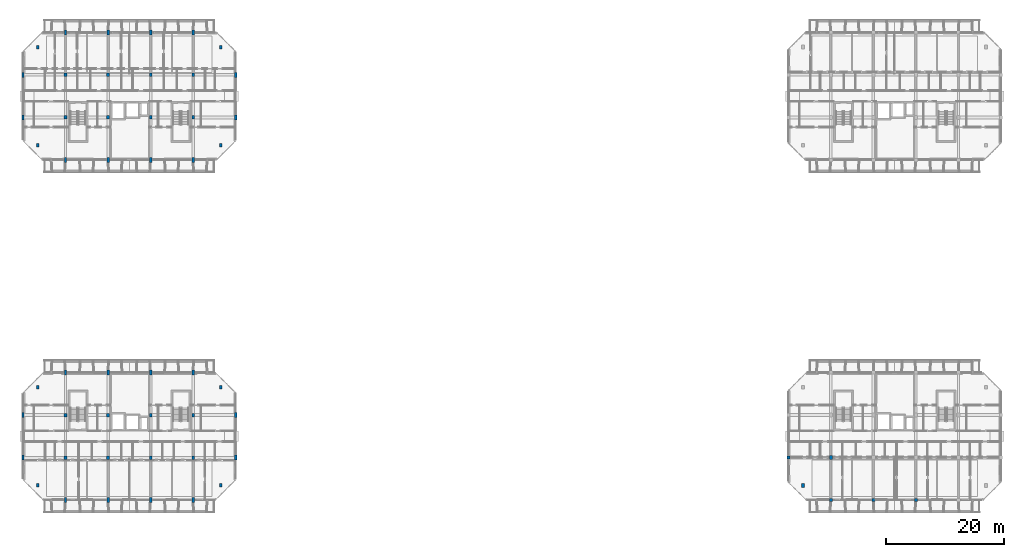
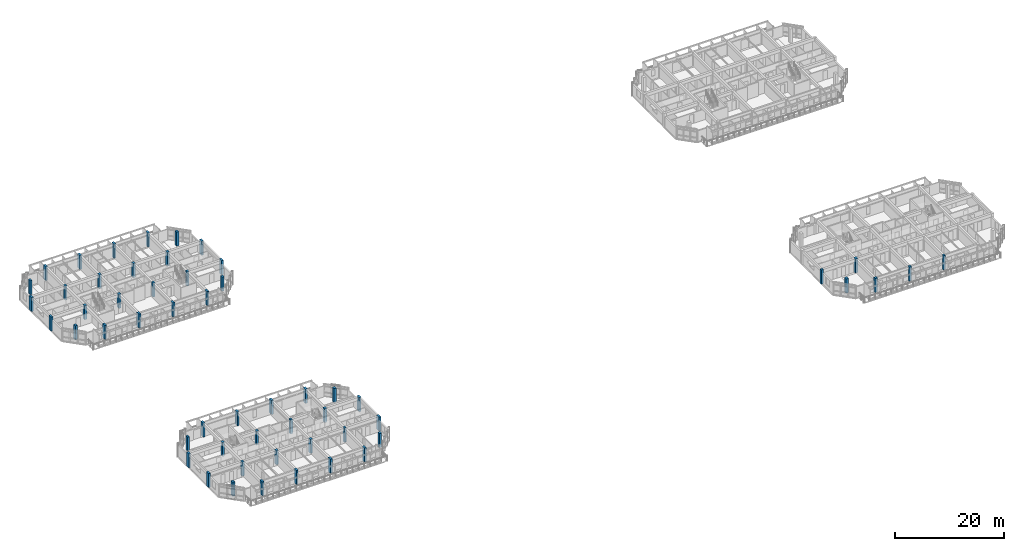
# One storey, part 1 of 44: 54 columns.
"""IFC4 building model written with IfcOpenShell, lengths in metres."""

from ifc_helpers import new_model, si_unit, direction, frame, origin, origin_2d, place, context, subcontext, project, spatial, rectangle, extrude, material, material_profile, profile_set, type_object, element, save


model = new_model("IFC4")

# Units and contexts
model_context = context("Model", 3, precision=1e-05, world=origin(), true_north=direction((0.0, 1.0)))
body_context = subcontext(model_context, "Body", "Model", "MODEL_VIEW")
ifc_project = project(units=[si_unit("LENGTHUNIT", "METRE"), si_unit("AREAUNIT", "SQUARE_METRE"), si_unit("VOLUMEUNIT", "CUBIC_METRE"), si_unit("PLANEANGLEUNIT", "RADIAN"), si_unit("MASSUNIT", "GRAM", prefix="KILO")], contexts=[model_context])

# Site, building, storey
site_placement = place(None, origin())
site = spatial("IfcSite", under=ifc_project, at=site_placement, CompositionType="ELEMENT")
building_placement = place(site_placement, origin())
building = spatial("IfcBuilding", under=site, at=building_placement, Name="Ochrevale Crest", CompositionType="ELEMENT")
storey_placement = place(building_placement, frame((0.0, 0.0, 21.300048828125)))
storey = spatial("IfcBuildingStorey", under=building, at=storey_placement, Name="L06", CompositionType="ELEMENT", Elevation=21.300048828125)

# Columns
ifc_material = material(Name="Precast concrete C50/60", Category="concrete")
ifc_material_profile_1 = material_profile(ifc_material, rectangle(XDim=0.39990234375, YDim=0.800048828125, at=origin_2d()), Name="RC 400x800")
ifc_profile_set_1 = profile_set([ifc_material_profile_1], Name="Precast concrete C50/60")
column_type_1 = type_object("IfcColumnType", Name="COL-RC400x800", PredefinedType="COLUMN", material=ifc_profile_set_1)
for number, where, z_axis, x_axis, name in (
    (1, (0.0, 21.60009765625, 0.0), (0.0, 0.0, 1.0), (1.0, 0.0, 0.0), "Block A L06 column (0.0,21.6)"),
    (2, (0.0, 28.800048828125, 0.0), (0.0, 0.0, 1.0), (1.0, 0.0, 0.0), "Block A L06 column (0.0,28.8)"),
    (3, (7.199951171875, 14.39990234375, 0.0), (0.0, 0.0, 1.0), (1.0, 0.0, 0.0), "Block A L06 column (7.2,14.4)"),
    (4, (7.199951171875, 36.0, 0.0), (0.0, 0.0, 1.0), (1.0, 0.0, 0.0), "Block A L06 column (7.2,36.0)"),
    (5, (14.39990234375, 14.39990234375, 0.0), (0.0, 0.0, 1.0), (1.0, 0.0, 0.0), "Block A L06 column (14.4,14.4)"),
    (6, (14.39990234375, 36.0, 0.0), (0.0, 0.0, 1.0), (1.0, 0.0, 0.0), "Block A L06 column (14.4,36.0)"),
    (7, (21.60009765625, 14.39990234375, 0.0), (0.0, 0.0, 1.0), (1.0, 0.0, 0.0), "Block A L06 column (21.6,14.4)"),
    (8, (21.60009765625, 36.0, 0.0), (0.0, 0.0, 1.0), (1.0, 0.0, 0.0), "Block A L06 column (21.6,36.0)"),
    (9, (28.800048828125, 14.39990234375, 0.0), (0.0, 0.0, 1.0), (1.0, 0.0, 0.0), "Block A L06 column (28.8,14.4)"),
    (10, (28.800048828125, 36.0, 0.0), (0.0, 0.0, 1.0), (1.0, 0.0, 0.0), "Block A L06 column (28.8,36.0)"),
    (11, (36.0, 21.60009765625, 0.0), (0.0, 0.0, 1.0), (1.0, 0.0, 0.0), "Block A L06 column (36.0,21.6)"),
    (12, (36.0, 28.800048828125, 0.0), (0.0, 0.0, 1.0), (1.0, 0.0, 0.0), "Block A L06 column (36.0,28.8)"),
    (13, (0.0, 79.199951171875, 0.0), (0.0, 0.0, 1.0), (1.0, 0.0, 0.0), "Block B L06 column (0.0,79.2)"),
    (14, (0.0, 86.39990234375, 0.0), (0.0, 0.0, 1.0), (1.0, 0.0, 0.0), "Block B L06 column (0.0,86.4)"),
    (15, (7.199951171875, 72.0, 0.0), (0.0, 0.0, 1.0), (1.0, 0.0, 0.0), "Block B L06 column (7.2,72.0)"),
    (16, (7.199951171875, 93.60009765625, 0.0), (0.0, 0.0, 1.0), (1.0, 0.0, 0.0), "Block B L06 column (7.2,93.6)"),
    (17, (14.39990234375, 72.0, 0.0), (0.0, 0.0, 1.0), (1.0, 0.0, 0.0), "Block B L06 column (14.4,72.0)"),
    (18, (14.39990234375, 93.60009765625, 0.0), (0.0, 0.0, 1.0), (1.0, 0.0, 0.0), "Block B L06 column (14.4,93.6)"),
    (19, (21.60009765625, 72.0, 0.0), (0.0, 0.0, 1.0), (1.0, 0.0, 0.0), "Block B L06 column (21.6,72.0)"),
    (20, (21.60009765625, 93.60009765625, 0.0), (0.0, 0.0, 1.0), (1.0, 0.0, 0.0), "Block B L06 column (21.6,93.6)"),
    (21, (28.800048828125, 72.0, 0.0), (0.0, 0.0, 1.0), (1.0, 0.0, 0.0), "Block B L06 column (28.8,72.0)"),
    (22, (28.800048828125, 93.60009765625, 0.0), (0.0, 0.0, 1.0), (1.0, 0.0, 0.0), "Block B L06 column (28.8,93.6)"),
    (23, (36.0, 79.199951171875, 0.0), (0.0, 0.0, 1.0), (1.0, 0.0, 0.0), "Block B L06 column (36.0,79.2)"),
    (24, (36.0, 86.39990234375, 0.0), (0.0, 0.0, 1.0), (1.0, 0.0, 0.0), "Block B L06 column (36.0,86.4)"),
):
    element("IfcColumn", number, at=place(storey_placement, frame(where, z_axis=z_axis, x_axis=x_axis)), inside=storey, type_object=column_type_1, Name=name, PredefinedType="COLUMN", context=body_context, shape_type="SweptSolid", body=[
        extrude(rectangle(XDim=0.39990234375, YDim=0.800048828125, at=origin_2d()), origin(), (0.0, 0.0, 1.0), 3.14990234375),
    ])
ifc_material_profile_2 = material_profile(ifc_material, rectangle(XDim=0.449951171875, YDim=0.60009765625, at=origin_2d()), Name="RC 450x600")
ifc_profile_set_2 = profile_set([ifc_material_profile_2], Name="Precast concrete C50/60")
column_type_2 = type_object("IfcColumnType", Name="COL-RC450x600", PredefinedType="COLUMN", material=ifc_profile_set_2)
for number, where, z_axis, x_axis, name in (
    (25, (2.5, 16.89990234375, 0.0), (0.0, 0.0, 1.0), (1.0, 0.0, 0.0), "Block A L06 column (2.5,16.9)"),
    (26, (2.5, 33.5, 0.0), (0.0, 0.0, 1.0), (1.0, 0.0, 0.0), "Block A L06 column (2.5,33.5)"),
    (27, (7.199951171875, 21.60009765625, 0.0), (0.0, 0.0, 1.0), (1.0, 0.0, 0.0), "Block A L06 column (7.2,21.6)"),
    (28, (7.199951171875, 28.800048828125, 0.0), (0.0, 0.0, 1.0), (1.0, 0.0, 0.0), "Block A L06 column (7.2,28.8)"),
    (29, (14.39990234375, 21.60009765625, 0.0), (0.0, 0.0, 1.0), (1.0, 0.0, 0.0), "Block A L06 column (14.4,21.6)"),
    (30, (14.39990234375, 28.800048828125, 0.0), (0.0, 0.0, 1.0), (1.0, 0.0, 0.0), "Block A L06 column (14.4,28.8)"),
    (31, (21.60009765625, 21.60009765625, 0.0), (0.0, 0.0, 1.0), (1.0, 0.0, 0.0), "Block A L06 column (21.6,21.6)"),
    (32, (21.60009765625, 28.800048828125, 0.0), (0.0, 0.0, 1.0), (1.0, 0.0, 0.0), "Block A L06 column (21.6,28.8)"),
    (33, (28.800048828125, 21.60009765625, 0.0), (0.0, 0.0, 1.0), (1.0, 0.0, 0.0), "Block A L06 column (28.8,21.6)"),
    (34, (28.800048828125, 28.800048828125, 0.0), (0.0, 0.0, 1.0), (1.0, 0.0, 0.0), "Block A L06 column (28.8,28.8)"),
    (35, (33.5, 16.89990234375, 0.0), (0.0, 0.0, 1.0), (1.0, 0.0, 0.0), "Block A L06 column (33.5,16.9)"),
    (36, (33.5, 33.5, 0.0), (0.0, 0.0, 1.0), (1.0, 0.0, 0.0), "Block A L06 column (33.5,33.5)"),
    (37, (2.5, 74.5, 0.0), (0.0, 0.0, 1.0), (1.0, 0.0, 0.0), "Block B L06 column (2.5,74.5)"),
    (38, (2.5, 91.10009765625, 0.0), (0.0, 0.0, 1.0), (1.0, 0.0, 0.0), "Block B L06 column (2.5,91.1)"),
    (39, (7.199951171875, 79.199951171875, 0.0), (0.0, 0.0, 1.0), (1.0, 0.0, 0.0), "Block B L06 column (7.2,79.2)"),
    (40, (7.199951171875, 86.39990234375, 0.0), (0.0, 0.0, 1.0), (1.0, 0.0, 0.0), "Block B L06 column (7.2,86.4)"),
    (41, (14.39990234375, 79.199951171875, 0.0), (0.0, 0.0, 1.0), (1.0, 0.0, 0.0), "Block B L06 column (14.4,79.2)"),
    (42, (14.39990234375, 86.39990234375, 0.0), (0.0, 0.0, 1.0), (1.0, 0.0, 0.0), "Block B L06 column (14.4,86.4)"),
    (43, (21.60009765625, 79.199951171875, 0.0), (0.0, 0.0, 1.0), (1.0, 0.0, 0.0), "Block B L06 column (21.6,79.2)"),
    (44, (21.60009765625, 86.39990234375, 0.0), (0.0, 0.0, 1.0), (1.0, 0.0, 0.0), "Block B L06 column (21.6,86.4)"),
    (45, (28.800048828125, 79.199951171875, 0.0), (0.0, 0.0, 1.0), (1.0, 0.0, 0.0), "Block B L06 column (28.8,79.2)"),
    (46, (28.800048828125, 86.39990234375, 0.0), (0.0, 0.0, 1.0), (1.0, 0.0, 0.0), "Block B L06 column (28.8,86.4)"),
    (47, (33.5, 74.5, 0.0), (0.0, 0.0, 1.0), (1.0, 0.0, 0.0), "Block B L06 column (33.5,74.5)"),
    (48, (33.5, 91.10009765625, 0.0), (0.0, 0.0, 1.0), (1.0, 0.0, 0.0), "Block B L06 column (33.5,91.1)"),
):
    element("IfcColumn", number, at=place(storey_placement, frame(where, z_axis=z_axis, x_axis=x_axis)), inside=storey, type_object=column_type_2, Name=name, PredefinedType="COLUMN", context=body_context, shape_type="SweptSolid", body=[
        extrude(rectangle(XDim=0.449951171875, YDim=0.60009765625, at=origin_2d()), origin(), (0.0, 0.0, 1.0), 3.14990234375),
    ])
ifc_material_profile_3 = material_profile(ifc_material, rectangle(XDim=0.5, YDim=0.5, at=origin_2d()), Name="RC 500x500")
ifc_profile_set_3 = profile_set([ifc_material_profile_3], Name="Precast concrete C50/60")
column_type_3 = type_object("IfcColumnType", Name="COL-RC500x500", PredefinedType="COLUMN", material=ifc_profile_set_3)
for number, where, z_axis, x_axis, name in (
    (49, (129.60009765625, 21.60009765625, 0.0), (0.0, 0.0, 1.0), (1.0, 0.0, 0.0), "Block C L06 column (129.6,21.6)"),
    (50, (136.800048828125, 14.39990234375, 0.0), (0.0, 0.0, 1.0), (1.0, 0.0, 0.0), "Block C L06 column (136.8,14.4)"),
    (51, (144.0, 14.39990234375, 0.0), (0.0, 0.0, 1.0), (1.0, 0.0, 0.0), "Block C L06 column (144.0,14.4)"),
    (52, (151.199951171875, 14.39990234375, 0.0), (0.0, 0.0, 1.0), (1.0, 0.0, 0.0), "Block C L06 column (151.2,14.4)"),
):
    element("IfcColumn", number, at=place(storey_placement, frame(where, z_axis=z_axis, x_axis=x_axis)), inside=storey, type_object=column_type_3, Name=name, PredefinedType="COLUMN", context=body_context, shape_type="SweptSolid", body=[
        extrude(rectangle(XDim=0.5, YDim=0.5, at=origin_2d()), origin(), (0.0, 0.0, 1.0), 3.14990234375),
    ])
ifc_material_profile_4 = material_profile(ifc_material, rectangle(XDim=0.5, YDim=0.64990234375, at=origin_2d()), Name="RC 500x650")
ifc_profile_set_4 = profile_set([ifc_material_profile_4], Name="Precast concrete C50/60")
column_type_4 = type_object("IfcColumnType", Name="COL-RC500x650", PredefinedType="COLUMN", material=ifc_profile_set_4)
for number, where, z_axis, x_axis, name in (
    (53, (132.10009765625, 16.89990234375, 0.0), (0.0, 0.0, 1.0), (1.0, 0.0, 0.0), "Block C L06 column (132.1,16.9)"),
    (54, (136.800048828125, 21.60009765625, 0.0), (0.0, 0.0, 1.0), (1.0, 0.0, 0.0), "Block C L06 column (136.8,21.6)"),
):
    element("IfcColumn", number, at=place(storey_placement, frame(where, z_axis=z_axis, x_axis=x_axis)), inside=storey, type_object=column_type_4, Name=name, PredefinedType="COLUMN", context=body_context, shape_type="SweptSolid", body=[
        extrude(rectangle(XDim=0.5, YDim=0.64990234375, at=origin_2d()), origin(), (0.0, 0.0, 1.0), 3.14990234375),
    ])

save(model, "model.ifc")
